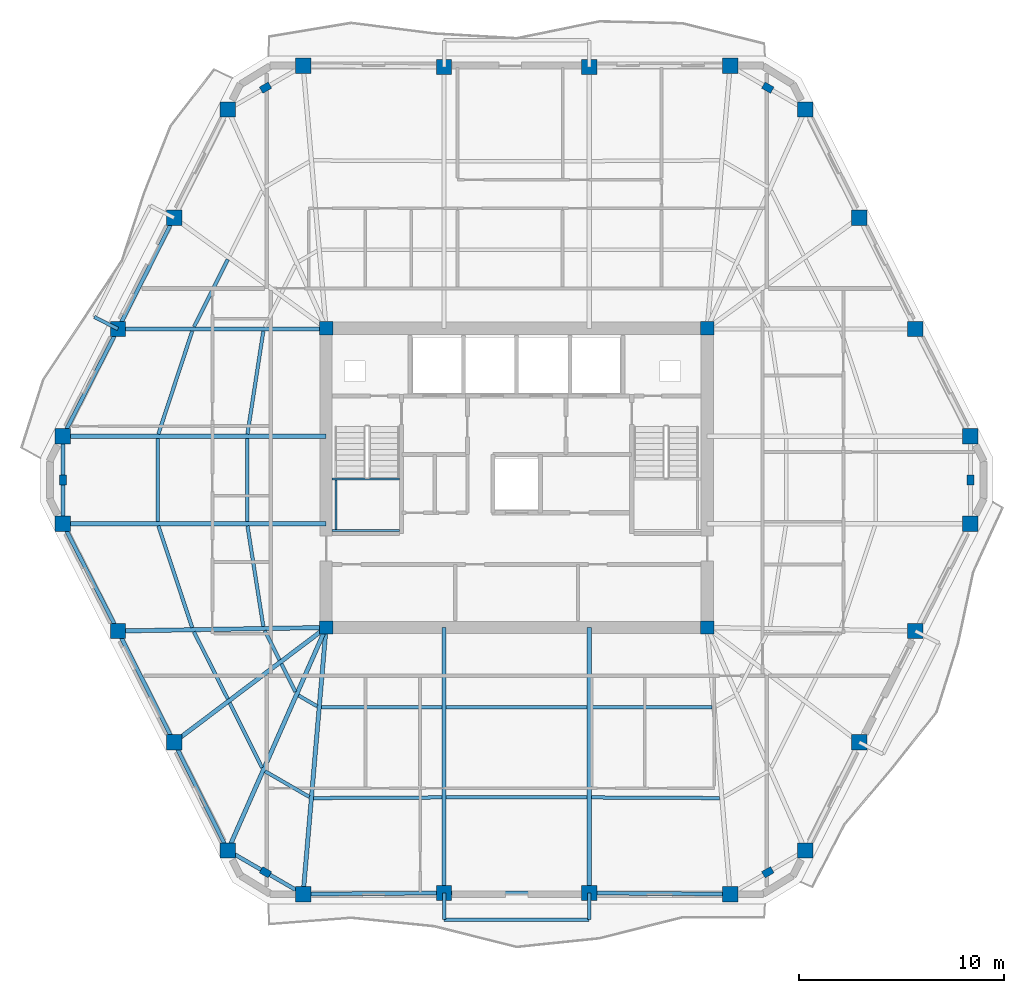
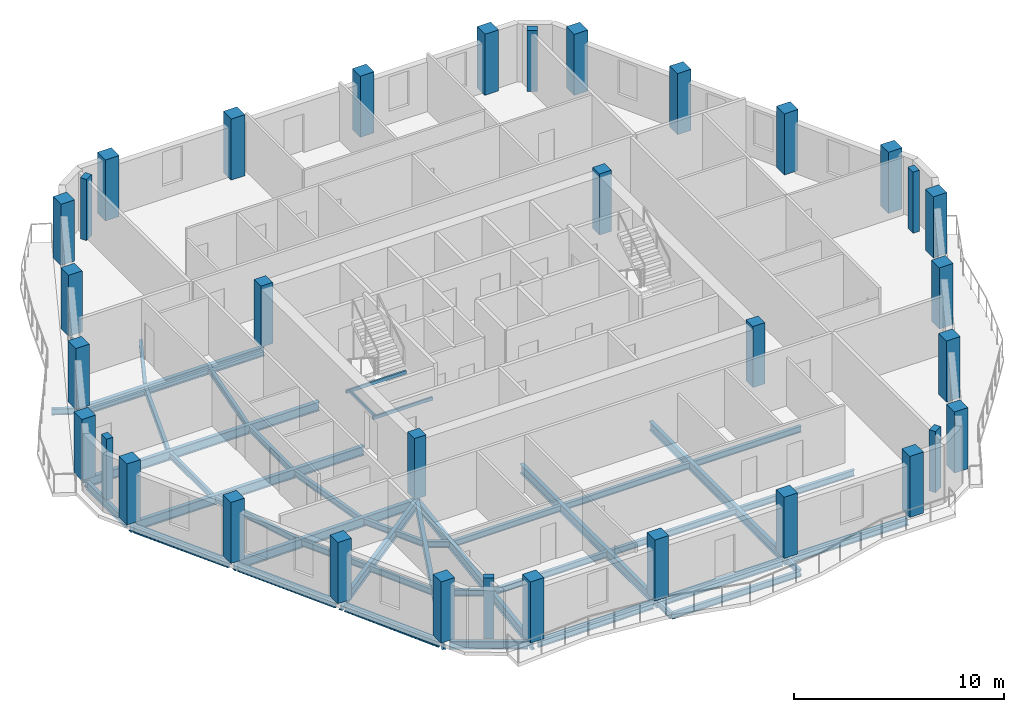
# One storey, part 1 of 9: 45 beams, 34 columns.
"""IFC4 building model written with IfcOpenShell, lengths in metres."""

from ifc_helpers import new_model, si_unit, direction, frame, origin, origin_2d, place, context, subcontext, project, spatial, rectangle, hollow_rectangle, i_section, extrude, material, material_profile, profile_set, type_object, element, save


model = new_model("IFC4")

# Units and contexts
model_context = context("Model", 3, precision=1e-05, world=origin(), true_north=direction((0.0, 1.0)))
body_context = subcontext(model_context, "Body", "Model", "MODEL_VIEW")
ifc_project = project(units=[si_unit("LENGTHUNIT", "METRE"), si_unit("AREAUNIT", "SQUARE_METRE"), si_unit("VOLUMEUNIT", "CUBIC_METRE"), si_unit("PLANEANGLEUNIT", "RADIAN"), si_unit("MASSUNIT", "GRAM", prefix="KILO")], contexts=[model_context])

# Site, building, storey
site_placement = place(None, origin())
site = spatial("IfcSite", under=ifc_project, at=site_placement, CompositionType="ELEMENT")
building_placement = place(site_placement, origin())
building = spatial("IfcBuilding", under=site, at=building_placement, Name="Cinnabar Lancet Tower", CompositionType="ELEMENT")
storey_placement = place(building_placement, frame((0.0, 0.0, 207.39990234375)))
storey = spatial("IfcBuildingStorey", under=building, at=storey_placement, Name="L55", CompositionType="ELEMENT", Elevation=207.39990234375)

# Columns
ifc_material_1 = material(Name="Concrete C60/75", Category="concrete")
ifc_material_profile_1 = material_profile(ifc_material_1, rectangle(XDim=0.64990234375, YDim=0.64990234375, at=origin_2d()), Name="RC-COL 650x650")
ifc_profile_set_1 = profile_set([ifc_material_profile_1], Name="Concrete C60/75")
column_type_1 = type_object("IfcColumnType", Name="STR-COL-CORE-650", PredefinedType="COLUMN", material=ifc_profile_set_1)
for number, where, z_axis, x_axis, name in (
    (1, (23.10009765625, 18.60009765625, 0.0), (0.0, 0.0, 1.0), (1.0, 0.0, 0.0), "L55 Core Corner Column SW"),
    (2, (41.699951171875, 18.60009765625, 0.0), (0.0, 0.0, 1.0), (1.0, 0.0, 0.0), "L55 Core Corner Column SE"),
    (3, (41.699951171875, 33.199951171875, 0.0), (0.0, 0.0, 1.0), (1.0, 0.0, 0.0), "L55 Core Corner Column NE"),
    (4, (23.10009765625, 33.199951171875, 0.0), (0.0, 0.0, 1.0), (1.0, 0.0, 0.0), "L55 Core Corner Column NW"),
):
    element("IfcColumn", number, at=place(storey_placement, frame(where, z_axis=z_axis, x_axis=x_axis)), inside=storey, type_object=column_type_1, Name=name, PredefinedType="COLUMN", context=body_context, shape_type="SweptSolid", body=[
        extrude(rectangle(XDim=0.64990234375, YDim=0.64990234375, at=origin_2d()), origin(), (0.0, 0.0, 1.0), 3.550048828125),
    ])
ifc_material_2 = material(Name="Concrete C60/75", Category="concrete")
ifc_material_profile_2 = material_profile(ifc_material_2, rectangle(XDim=0.5, YDim=0.35009765625, at=origin_2d()), Name="RC-PIL 500x350")
ifc_profile_set_2 = profile_set([ifc_material_profile_2], Name="Concrete C60/75")
column_type_2 = type_object("IfcColumnType", Name="STR-COL-PIL-500", PredefinedType="PILASTER", material=ifc_profile_set_2)
for number, where, z_axis, x_axis, name in (
    (5, (20.14208984375, 6.654052734375, 0.0), (0.0, 0.0, 1.0), (0.865230187018, -0.501374833306, 0.0), "L55 Chamfered Corner Pilaster 1"),
    (6, (44.657958984375, 6.654052734375, 0.0), (0.0, 0.0, 1.0), (0.865230187018, 0.501374833306, 0.0), "L55 Chamfered Corner Pilaster 2"),
    (7, (54.547119140625, 25.800048828125, 0.0), (0.0, 0.0, 1.0), (0.0, 1.0, 0.0), "L55 Chamfered Corner Pilaster 3"),
    (8, (44.657958984375, 44.947021484375, 0.0), (0.0, 0.0, 1.0), (-0.865230187018, 0.501374833306, 0.0), "L55 Chamfered Corner Pilaster 4"),
    (9, (20.14208984375, 44.947021484375, 0.0), (0.0, 0.0, 1.0), (-0.865230187018, -0.501374833306, 0.0), "L55 Chamfered Corner Pilaster 5"),
    (10, (10.2529296875, 25.800048828125, 0.0), (0.0, 0.0, 1.0), (0.0, -1.0, 0.0), "L55 Chamfered Corner Pilaster 6"),
):
    element("IfcColumn", number, at=place(storey_placement, frame(where, z_axis=z_axis, x_axis=x_axis)), inside=storey, type_object=column_type_2, Name=name, PredefinedType="PILASTER", context=body_context, shape_type="SweptSolid", body=[
        extrude(rectangle(XDim=0.5, YDim=0.35009765625, at=origin_2d()), origin(), (0.0, 0.0, 1.0), 3.550048828125),
    ])
ifc_material_3 = material(Name="Concrete C50/60", Category="concrete")
ifc_material_profile_3 = material_profile(ifc_material_3, rectangle(XDim=0.75, YDim=0.75, at=origin_2d()), Name="RC-COL 750x750")
ifc_profile_set_3 = profile_set([ifc_material_profile_3], Name="Concrete C50/60")
column_type_3 = type_object("IfcColumnType", Name="STR-COL-TUBE-750", PredefinedType="COLUMN", material=ifc_profile_set_3)
for number, where, z_axis, x_axis, name in (
    (11, (21.97900390625, 5.589111328125, 0.0), (0.0, 0.0, 1.0), (1.0, 0.0, 0.0), "L55 Perimeter Tube Column 1"),
    (12, (28.85693359375, 5.64208984375, 0.0), (0.0, 0.0, 1.0), (1.0, 0.0, 0.0), "L55 Perimeter Tube Column 2"),
    (13, (35.943115234375, 5.64208984375, 0.0), (0.0, 0.0, 1.0), (1.0, 0.0, 0.0), "L55 Perimeter Tube Column 3"),
    (14, (42.821044921875, 5.589111328125, 0.0), (0.0, 0.0, 1.0), (1.0, 0.0, 0.0), "L55 Perimeter Tube Column 4"),
    (15, (46.4951171875, 7.718017578125, 0.0), (0.0, 0.0, 1.0), (1.0, 0.0, 0.0), "L55 Perimeter Tube Column 5"),
    (16, (49.118896484375, 13.0009765625, 0.0), (0.0, 0.0, 1.0), (1.0, 0.0, 0.0), "L55 Perimeter Tube Column 6"),
    (17, (51.85791015625, 18.428955078125, 0.0), (0.0, 0.0, 1.0), (1.0, 0.0, 0.0), "L55 Perimeter Tube Column 7"),
    (18, (54.547119140625, 23.66796875, 0.0), (0.0, 0.0, 1.0), (1.0, 0.0, 0.0), "L55 Perimeter Tube Column 8"),
    (19, (54.547119140625, 27.931884765625, 0.0), (0.0, 0.0, 1.0), (1.0, 0.0, 0.0), "L55 Perimeter Tube Column 9"),
    (20, (51.85791015625, 33.1708984375, 0.0), (0.0, 0.0, 1.0), (1.0, 0.0, 0.0), "L55 Perimeter Tube Column 10"),
    (21, (49.118896484375, 38.59912109375, 0.0), (0.0, 0.0, 1.0), (1.0, 0.0, 0.0), "L55 Perimeter Tube Column 11"),
    (22, (46.4951171875, 43.882080078125, 0.0), (0.0, 0.0, 1.0), (1.0, 0.0, 0.0), "L55 Perimeter Tube Column 12"),
    (23, (42.821044921875, 46.010986328125, 0.0), (0.0, 0.0, 1.0), (1.0, 0.0, 0.0), "L55 Perimeter Tube Column 13"),
    (24, (35.943115234375, 45.9580078125, 0.0), (0.0, 0.0, 1.0), (1.0, 0.0, 0.0), "L55 Perimeter Tube Column 14"),
    (25, (28.85693359375, 45.9580078125, 0.0), (0.0, 0.0, 1.0), (1.0, 0.0, 0.0), "L55 Perimeter Tube Column 15"),
    (26, (21.97900390625, 46.010986328125, 0.0), (0.0, 0.0, 1.0), (1.0, 0.0, 0.0), "L55 Perimeter Tube Column 16"),
    (27, (18.304931640625, 43.882080078125, 0.0), (0.0, 0.0, 1.0), (1.0, 0.0, 0.0), "L55 Perimeter Tube Column 17"),
    (28, (15.680908203125, 38.59912109375, 0.0), (0.0, 0.0, 1.0), (1.0, 0.0, 0.0), "L55 Perimeter Tube Column 18"),
    (29, (12.94189453125, 33.1708984375, 0.0), (0.0, 0.0, 1.0), (1.0, 0.0, 0.0), "L55 Perimeter Tube Column 19"),
    (30, (10.2529296875, 27.931884765625, 0.0), (0.0, 0.0, 1.0), (1.0, 0.0, 0.0), "L55 Perimeter Tube Column 20"),
    (31, (10.2529296875, 23.66796875, 0.0), (0.0, 0.0, 1.0), (1.0, 0.0, 0.0), "L55 Perimeter Tube Column 21"),
    (32, (12.94189453125, 18.428955078125, 0.0), (0.0, 0.0, 1.0), (1.0, 0.0, 0.0), "L55 Perimeter Tube Column 22"),
    (33, (15.680908203125, 13.0009765625, 0.0), (0.0, 0.0, 1.0), (1.0, 0.0, 0.0), "L55 Perimeter Tube Column 23"),
    (34, (18.304931640625, 7.718017578125, 0.0), (0.0, 0.0, 1.0), (1.0, 0.0, 0.0), "L55 Perimeter Tube Column 24"),
):
    element("IfcColumn", number, at=place(storey_placement, frame(where, z_axis=z_axis, x_axis=x_axis)), inside=storey, type_object=column_type_3, Name=name, PredefinedType="COLUMN", context=body_context, shape_type="SweptSolid", body=[
        extrude(rectangle(XDim=0.75, YDim=0.75, at=origin_2d()), origin(), (0.0, 0.0, 1.0), 3.550048828125),
    ])

# Beams
ifc_material_4 = material(Name="Structural steel S355", Category="steel")
ifc_material_profile_4 = material_profile(ifc_material_4, i_section(OverallWidth=0.17138671875, OverallDepth=0.35498046875, WebThickness=0.00732421875, FlangeThickness=0.011474609375, FilletRadius=0.01025390625, at=origin_2d()), Name="UKB 356x171x51")
ifc_profile_set_4 = profile_set([ifc_material_profile_4], Name="Structural steel S355")
beam_type_1 = type_object("IfcBeamType", Name="STR-BM-JST-356", PredefinedType="JOIST", material=ifc_profile_set_4)
beam_1_placement = place(storey_placement, frame((14.9130859375, 23.56298828125, -0.3779296875), z_axis=(0.315346227037, -0.948976689436, 0.0), x_axis=(0.948976689436, 0.315346227037, 0.0)))
element("IfcBeam", 35, at=beam_1_placement, inside=storey, type_object=beam_type_1, Name="L55 Secondary Floor Joist 1", PredefinedType="JOIST", context=body_context, shape_type="SweptSolid", body=[
    extrude(i_section(OverallWidth=0.17138671875, OverallDepth=0.35498046875, WebThickness=0.00732421875, FlangeThickness=0.011474609375, FilletRadius=0.01025390625, at=origin_2d()), origin(), (0.0, 0.0, 1.0), 5.235107421875),
])
beam_2_placement = place(storey_placement, frame((19.261962890625, 23.56298828125, -0.3779296875), z_axis=(0.155702775827, -0.987803950994, 0.0), x_axis=(0.987803950994, 0.155702775827, 0.0)))
element("IfcBeam", 36, at=beam_2_placement, inside=storey, type_object=beam_type_1, Name="L55 Secondary Floor Joist 2", PredefinedType="JOIST", context=body_context, shape_type="SweptSolid", body=[
    extrude(i_section(OverallWidth=0.17138671875, OverallDepth=0.35498046875, WebThickness=0.00732421875, FlangeThickness=0.011474609375, FilletRadius=0.01025390625, at=origin_2d()), origin(), (0.0, 0.0, 1.0), 4.970458984375),
])
beam_3_placement = place(storey_placement, frame((16.65087890625, 18.386962890625, -0.3779296875), z_axis=(0.45061776862, -0.892716991327, 0.0), x_axis=(0.892716991327, 0.45061776862, 0.0)))
element("IfcBeam", 37, at=beam_3_placement, inside=storey, type_object=beam_type_1, Name="L55 Secondary Floor Joist 3", PredefinedType="JOIST", context=body_context, shape_type="SweptSolid", body=[
    extrude(i_section(OverallWidth=0.17138671875, OverallDepth=0.35498046875, WebThickness=0.00732421875, FlangeThickness=0.011474609375, FilletRadius=0.01025390625, at=origin_2d()), origin(), (0.0, 0.0, 1.0), 3.66845703125),
])
beam_4_placement = place(storey_placement, frame((20.10498046875, 18.445068359375, -0.3779296875), z_axis=(0.450137936259, -0.892959035085, 0.0), x_axis=(0.892959035085, 0.450137936259, 0.0)))
element("IfcBeam", 38, at=beam_4_placement, inside=storey, type_object=beam_type_1, Name="L55 Secondary Floor Joist 4", PredefinedType="JOIST", context=body_context, shape_type="SweptSolid", body=[
    extrude(i_section(OverallWidth=0.17138671875, OverallDepth=0.35498046875, WebThickness=0.00732421875, FlangeThickness=0.011474609375, FilletRadius=0.01025390625, at=origin_2d()), origin(), (0.0, 0.0, 1.0), 1.6015625),
])
beam_5_placement = place(storey_placement, frame((18.39892578125, 14.9208984375, -0.3779296875), z_axis=(0.445083338565, -0.895489152214, 0.0), x_axis=(0.895489152214, 0.445083338565, 0.0)))
element("IfcBeam", 39, at=beam_5_placement, inside=storey, type_object=beam_type_1, Name="L55 Secondary Floor Joist 5", PredefinedType="JOIST", context=body_context, shape_type="SweptSolid", body=[
    extrude(i_section(OverallWidth=0.17138671875, OverallDepth=0.35498046875, WebThickness=0.00732421875, FlangeThickness=0.011474609375, FilletRadius=0.01025390625, at=origin_2d()), origin(), (0.0, 0.0, 1.0), 3.531982421875),
])
beam_6_placement = place(storey_placement, frame((20.922119140625, 16.824951171875, -0.3779296875), z_axis=(0.444589856968, -0.895734256954, 0.0), x_axis=(0.895734256954, 0.444589856968, 0.0)))
element("IfcBeam", 40, at=beam_6_placement, inside=storey, type_object=beam_type_1, Name="L55 Secondary Floor Joist 6", PredefinedType="JOIST", context=body_context, shape_type="SweptSolid", body=[
    extrude(i_section(OverallWidth=0.17138671875, OverallDepth=0.35498046875, WebThickness=0.00732421875, FlangeThickness=0.011474609375, FilletRadius=0.01025390625, at=origin_2d()), origin(), (0.0, 0.0, 1.0), 1.527099609375),
])
beam_7_placement = place(storey_placement, frame((20.1220703125, 11.5830078125, -0.3779296875), z_axis=(0.865267839663, -0.501309849937, 0.0), x_axis=(0.501309849937, 0.865267839663, 0.0)))
element("IfcBeam", 41, at=beam_7_placement, inside=storey, type_object=beam_type_1, Name="L55 Secondary Floor Joist 7", PredefinedType="JOIST", context=body_context, shape_type="SweptSolid", body=[
    extrude(i_section(OverallWidth=0.17138671875, OverallDepth=0.35498046875, WebThickness=0.00732421875, FlangeThickness=0.011474609375, FilletRadius=0.01025390625, at=origin_2d()), origin(), (0.0, 0.0, 1.0), 2.497314453125),
])
beam_8_placement = place(storey_placement, frame((21.7529296875, 15.282958984375, -0.3779296875), z_axis=(0.8651881055, -0.501447446998, 0.0), x_axis=(0.501447446998, 0.8651881055, 0.0)))
element("IfcBeam", 42, at=beam_8_placement, inside=storey, type_object=beam_type_1, Name="L55 Secondary Floor Joist 8", PredefinedType="JOIST", context=body_context, shape_type="SweptSolid", body=[
    extrude(i_section(OverallWidth=0.17138671875, OverallDepth=0.35498046875, WebThickness=0.00732421875, FlangeThickness=0.011474609375, FilletRadius=0.01025390625, at=origin_2d()), origin(), (0.0, 0.0, 1.0), 1.05322265625),
])
beam_9_placement = place(storey_placement, frame((22.488037109375, 10.27392578125, -0.3779296875), z_axis=(0.999986965561, 0.005105752523, 0.0), x_axis=(-0.005105752523, 0.999986965561, 0.0)))
element("IfcBeam", 43, at=beam_9_placement, inside=storey, type_object=beam_type_1, Name="L55 Secondary Floor Joist 9", PredefinedType="JOIST", context=body_context, shape_type="SweptSolid", body=[
    extrude(i_section(OverallWidth=0.17138671875, OverallDepth=0.35498046875, WebThickness=0.00732421875, FlangeThickness=0.011474609375, FilletRadius=0.01025390625, at=origin_2d()), origin(), (0.0, 0.0, 1.0), 6.263916015625),
])
beam_10_placement = place(storey_placement, frame((22.868896484375, 14.697021484375, -0.3779296875), z_axis=(0.999996795933, 0.002531427338, 0.0), x_axis=(-0.002531427338, 0.999996795933, 0.0)))
element("IfcBeam", 44, at=beam_10_placement, inside=storey, type_object=beam_type_1, Name="L55 Secondary Floor Joist 10", PredefinedType="JOIST", context=body_context, shape_type="SweptSolid", body=[
    extrude(i_section(OverallWidth=0.17138671875, OverallDepth=0.35498046875, WebThickness=0.00732421875, FlangeThickness=0.011474609375, FilletRadius=0.01025390625, at=origin_2d()), origin(), (0.0, 0.0, 1.0), 5.883056640625),
])
for number, where, z_axis, x_axis, name in (
    (45, (28.9619140625, 10.306884765625, -0.3779296875), (1.0, 0.0, 0.0), (0.0, 1.0, 0.0), "L55 Secondary Floor Joist 11"),
    (46, (28.9619140625, 14.712890625, -0.3779296875), (1.0, 0.0, 0.0), (0.0, 1.0, 0.0), "L55 Secondary Floor Joist 12"),
):
    element("IfcBeam", number, at=place(storey_placement, frame(where, z_axis=z_axis, x_axis=x_axis)), inside=storey, type_object=beam_type_1, Name=name, PredefinedType="JOIST", context=body_context, shape_type="SweptSolid", body=[
        extrude(i_section(OverallWidth=0.17138671875, OverallDepth=0.35498046875, WebThickness=0.00732421875, FlangeThickness=0.011474609375, FilletRadius=0.01025390625, at=origin_2d()), origin(), (0.0, 0.0, 1.0), 6.8759765625),
    ])
beam_11_placement = place(storey_placement, frame((36.048095703125, 10.305908203125, -0.3779296875), z_axis=(0.999986965561, -0.005105752523, 0.0), x_axis=(0.005105752523, 0.999986965561, 0.0)))
element("IfcBeam", 47, at=beam_11_placement, inside=storey, type_object=beam_type_1, Name="L55 Secondary Floor Joist 13", PredefinedType="JOIST", context=body_context, shape_type="SweptSolid", body=[
    extrude(i_section(OverallWidth=0.17138671875, OverallDepth=0.35498046875, WebThickness=0.00732421875, FlangeThickness=0.011474609375, FilletRadius=0.01025390625, at=origin_2d()), origin(), (0.0, 0.0, 1.0), 6.263916015625),
])
beam_12_placement = place(storey_placement, frame((36.048095703125, 14.7119140625, -0.3779296875), z_axis=(0.999996795667, -0.002531532393, 0.0), x_axis=(0.002531532393, 0.999996795667, 0.0)))
element("IfcBeam", 48, at=beam_12_placement, inside=storey, type_object=beam_type_1, Name="L55 Secondary Floor Joist 14", PredefinedType="JOIST", context=body_context, shape_type="SweptSolid", body=[
    extrude(i_section(OverallWidth=0.17138671875, OverallDepth=0.35498046875, WebThickness=0.00732421875, FlangeThickness=0.011474609375, FilletRadius=0.01025390625, at=origin_2d()), origin(), (0.0, 0.0, 1.0), 5.8828125),
])
beam_13_placement = place(storey_placement, frame((18.303955078125, 36.56103515625, -0.3779296875), z_axis=(-0.449230875134, -0.893415704376, 0.0), x_axis=(0.893415704376, -0.449230875134, 0.0)))
element("IfcBeam", 49, at=beam_13_placement, inside=storey, type_object=beam_type_1, Name="L55 Secondary Floor Joist 43", PredefinedType="JOIST", context=body_context, shape_type="SweptSolid", body=[
    extrude(i_section(OverallWidth=0.17138671875, OverallDepth=0.35498046875, WebThickness=0.00732421875, FlangeThickness=0.011474609375, FilletRadius=0.01025390625, at=origin_2d()), origin(), (0.0, 0.0, 1.0), 3.677001953125),
])
beam_14_placement = place(storey_placement, frame((16.56494140625, 33.06591796875, -0.3779296875), z_axis=(-0.312240109925, -0.95000321776, 0.0), x_axis=(0.95000321776, -0.312240109925, 0.0)))
element("IfcBeam", 50, at=beam_14_placement, inside=storey, type_object=beam_type_1, Name="L55 Secondary Floor Joist 45", PredefinedType="JOIST", context=body_context, shape_type="SweptSolid", body=[
    extrude(i_section(OverallWidth=0.17138671875, OverallDepth=0.35498046875, WebThickness=0.00732421875, FlangeThickness=0.011474609375, FilletRadius=0.01025390625, at=origin_2d()), origin(), (0.0, 0.0, 1.0), 5.29345703125),
])
beam_15_placement = place(storey_placement, frame((20.035888671875, 33.06591796875, -0.3779296875), z_axis=(-0.152107663797, -0.988363930248, 0.0), x_axis=(0.988363930248, -0.152107663797, 0.0)))
element("IfcBeam", 51, at=beam_15_placement, inside=storey, type_object=beam_type_1, Name="L55 Secondary Floor Joist 46", PredefinedType="JOIST", context=body_context, shape_type="SweptSolid", body=[
    extrude(i_section(OverallWidth=0.17138671875, OverallDepth=0.35498046875, WebThickness=0.00732421875, FlangeThickness=0.011474609375, FilletRadius=0.01025390625, at=origin_2d()), origin(), (0.0, 0.0, 1.0), 5.088134765625),
])
for number, where, z_axis, x_axis, name in (
    (52, (14.8779296875, 27.826904296875, -0.3779296875), (0.0, -1.0, 0.0), (1.0, 0.0, 0.0), "L55 Secondary Floor Joist 47"),
    (53, (19.24609375, 27.826904296875, -0.3779296875), (0.0, -1.0, 0.0), (1.0, 0.0, 0.0), "L55 Secondary Floor Joist 48"),
):
    element("IfcBeam", number, at=place(storey_placement, frame(where, z_axis=z_axis, x_axis=x_axis)), inside=storey, type_object=beam_type_1, Name=name, PredefinedType="JOIST", context=body_context, shape_type="SweptSolid", body=[
        extrude(i_section(OverallWidth=0.17138671875, OverallDepth=0.35498046875, WebThickness=0.00732421875, FlangeThickness=0.011474609375, FilletRadius=0.01025390625, at=origin_2d()), origin(), (0.0, 0.0, 1.0), 4.053955078125),
    ])
ifc_material_5 = material(Name="Structural steel S355", Category="steel")
ifc_material_profile_5 = material_profile(ifc_material_5, hollow_rectangle(XDim=0.10009765625, YDim=0.199951171875, WallThickness=0.008056640625, InnerFilletRadius=0.00390625, OuterFilletRadius=0.011962890625, at=origin_2d()), Name="RHS 200x100x8")
ifc_profile_set_5 = profile_set([ifc_material_profile_5], Name="Structural steel S355")
beam_type_2 = type_object("IfcBeamType", Name="STR-BM-LND-203", PredefinedType="BEAM", material=ifc_profile_set_5)
for number, where, z_axis, x_axis, name in (
    (54, (23.39990234375, 23.330078125, 1.47509765625), (1.0, 0.0, 0.0), (0.0, 1.0, 0.0), "L55 ST-1-L55 Landing Support Beam S"),
    (55, (23.39990234375, 25.844970703125, 1.47509765625), (1.0, 0.0, 0.0), (0.0, 1.0, 0.0), "L55 ST-1-L55 Landing Support Beam N"),
):
    element("IfcBeam", number, at=place(storey_placement, frame(where, z_axis=z_axis, x_axis=x_axis)), inside=storey, type_object=beam_type_2, Name=name, PredefinedType="BEAM", context=body_context, shape_type="SweptSolid", body=[
        extrude(hollow_rectangle(XDim=0.10009765625, YDim=0.199951171875, WallThickness=0.008056640625, InnerFilletRadius=0.00390625, OuterFilletRadius=0.011962890625, at=origin_2d()), origin(), (0.0, 0.0, 1.0), 3.280029296875),
    ])
beam_16_placement = place(storey_placement, frame((23.580078125, 23.3798828125, 1.47509765625), z_axis=(0.0, 1.0, 0.0), x_axis=(-1.0, 0.0, 0.0)))
element("IfcBeam", 56, at=beam_16_placement, inside=storey, type_object=beam_type_2, Name="L55 ST-1-L55 Landing Side Trimmer Beam", PredefinedType="BEAM", context=body_context, shape_type="SweptSolid", body=[
    extrude(hollow_rectangle(XDim=0.10009765625, YDim=0.199951171875, WallThickness=0.008056640625, InnerFilletRadius=0.00390625, OuterFilletRadius=0.011962890625, at=origin_2d()), origin(), (0.0, 0.0, 1.0), 2.4150390625),
])
ifc_material_6 = material(Name="Structural steel S355", Category="steel")
ifc_material_profile_6 = material_profile(ifc_material_6, i_section(OverallWidth=0.1904296875, OverallDepth=0.45703125, WebThickness=0.009033203125, FlangeThickness=0.014404296875, FilletRadius=0.01025390625, at=origin_2d()), Name="UKB 457x191x74")
ifc_profile_set_6 = profile_set([ifc_material_profile_6], Name="Structural steel S355")
beam_type_3 = type_object("IfcBeamType", Name="STR-BM-SPN-457", PredefinedType="SPANDREL", material=ifc_profile_set_6)
beam_17_placement = place(storey_placement, frame((22.22900390625, 5.591064453125, -0.428955078125), z_axis=(0.999970695686, 0.007655571089, 0.0), x_axis=(-0.007655571089, 0.999970695686, 0.0)))
element("IfcBeam", 57, at=beam_17_placement, inside=storey, type_object=beam_type_3, Name="L55 Perimeter Spandrel 1", PredefinedType="SPANDREL", context=body_context, shape_type="SweptSolid", body=[
    extrude(i_section(OverallWidth=0.1904296875, OverallDepth=0.45703125, WebThickness=0.009033203125, FlangeThickness=0.014404296875, FilletRadius=0.01025390625, at=origin_2d()), origin(), (0.0, 0.0, 1.0), 6.378173828125),
])
beam_18_placement = place(storey_placement, frame((29.10693359375, 5.64208984375, -0.428955078125), z_axis=(1.0, 0.0, 0.0), x_axis=(0.0, 1.0, 0.0)))
element("IfcBeam", 58, at=beam_18_placement, inside=storey, type_object=beam_type_3, Name="L55 Perimeter Spandrel 2", PredefinedType="SPANDREL", context=body_context, shape_type="SweptSolid", body=[
    extrude(i_section(OverallWidth=0.1904296875, OverallDepth=0.45703125, WebThickness=0.009033203125, FlangeThickness=0.014404296875, FilletRadius=0.01025390625, at=origin_2d()), origin(), (0.0, 0.0, 1.0), 6.586181640625),
])
beam_19_placement = place(storey_placement, frame((36.193115234375, 5.639892578125, -0.428955078125), z_axis=(0.999970695686, -0.007655571089, 0.0), x_axis=(0.007655571089, 0.999970695686, 0.0)))
element("IfcBeam", 59, at=beam_19_placement, inside=storey, type_object=beam_type_3, Name="L55 Perimeter Spandrel 3", PredefinedType="SPANDREL", context=body_context, shape_type="SweptSolid", body=[
    extrude(i_section(OverallWidth=0.1904296875, OverallDepth=0.45703125, WebThickness=0.009033203125, FlangeThickness=0.014404296875, FilletRadius=0.01025390625, at=origin_2d()), origin(), (0.0, 0.0, 1.0), 6.378173828125),
])
beam_20_placement = place(storey_placement, frame((15.568115234375, 38.3759765625, -0.428955078125), z_axis=(-0.450395996562, -0.892828900899, 0.0), x_axis=(0.892828900899, -0.450395996562, 0.0)))
element("IfcBeam", 60, at=beam_20_placement, inside=storey, type_object=beam_type_3, Name="L55 Perimeter Spandrel 18", PredefinedType="SPANDREL", context=body_context, shape_type="SweptSolid", body=[
    extrude(i_section(OverallWidth=0.1904296875, OverallDepth=0.45703125, WebThickness=0.009033203125, FlangeThickness=0.014404296875, FilletRadius=0.01025390625, at=origin_2d()), origin(), (0.0, 0.0, 1.0), 5.579833984375),
])
beam_21_placement = place(storey_placement, frame((12.827880859375, 32.948974609375, -0.428955078125), z_axis=(-0.456610910924, -0.889666497079, 0.0), x_axis=(0.889666497079, -0.456610910924, 0.0)))
element("IfcBeam", 61, at=beam_21_placement, inside=storey, type_object=beam_type_3, Name="L55 Perimeter Spandrel 19", PredefinedType="SPANDREL", context=body_context, shape_type="SweptSolid", body=[
    extrude(i_section(OverallWidth=0.1904296875, OverallDepth=0.45703125, WebThickness=0.009033203125, FlangeThickness=0.014404296875, FilletRadius=0.01025390625, at=origin_2d()), origin(), (0.0, 0.0, 1.0), 5.3896484375),
])
beam_22_placement = place(storey_placement, frame((10.2529296875, 27.681884765625, -0.428955078125), z_axis=(0.0, -1.0, 0.0), x_axis=(1.0, 0.0, 0.0)))
element("IfcBeam", 62, at=beam_22_placement, inside=storey, type_object=beam_type_3, Name="L55 Perimeter Spandrel 20", PredefinedType="SPANDREL", context=body_context, shape_type="SweptSolid", body=[
    extrude(i_section(OverallWidth=0.1904296875, OverallDepth=0.45703125, WebThickness=0.009033203125, FlangeThickness=0.014404296875, FilletRadius=0.01025390625, at=origin_2d()), origin(), (0.0, 0.0, 1.0), 3.763916015625),
])
beam_23_placement = place(storey_placement, frame((10.366943359375, 23.446044921875, -0.428955078125), z_axis=(0.456592509812, -0.889675940994, 0.0), x_axis=(0.889675940994, 0.456592509812, 0.0)))
element("IfcBeam", 63, at=beam_23_placement, inside=storey, type_object=beam_type_3, Name="L55 Perimeter Spandrel 21", PredefinedType="SPANDREL", context=body_context, shape_type="SweptSolid", body=[
    extrude(i_section(OverallWidth=0.1904296875, OverallDepth=0.45703125, WebThickness=0.009033203125, FlangeThickness=0.014404296875, FilletRadius=0.01025390625, at=origin_2d()), origin(), (0.0, 0.0, 1.0), 5.389892578125),
])
beam_24_placement = place(storey_placement, frame((13.054931640625, 18.2060546875, -0.428955078125), z_axis=(0.450395996562, -0.892828900899, 0.0), x_axis=(0.892828900899, 0.450395996562, 0.0)))
element("IfcBeam", 64, at=beam_24_placement, inside=storey, type_object=beam_type_3, Name="L55 Perimeter Spandrel 22", PredefinedType="SPANDREL", context=body_context, shape_type="SweptSolid", body=[
    extrude(i_section(OverallWidth=0.1904296875, OverallDepth=0.45703125, WebThickness=0.009033203125, FlangeThickness=0.014404296875, FilletRadius=0.01025390625, at=origin_2d()), origin(), (0.0, 0.0, 1.0), 5.579833984375),
])
beam_25_placement = place(storey_placement, frame((15.7919921875, 12.777099609375, -0.428955078125), z_axis=(0.444914968367, -0.895572817208, 0.0), x_axis=(0.895572817208, 0.444914968367, 0.0)))
element("IfcBeam", 65, at=beam_25_placement, inside=storey, type_object=beam_type_3, Name="L55 Perimeter Spandrel 23", PredefinedType="SPANDREL", context=body_context, shape_type="SweptSolid", body=[
    extrude(i_section(OverallWidth=0.1904296875, OverallDepth=0.45703125, WebThickness=0.009033203125, FlangeThickness=0.014404296875, FilletRadius=0.01025390625, at=origin_2d()), origin(), (0.0, 0.0, 1.0), 5.39892578125),
])
beam_26_placement = place(storey_placement, frame((18.52099609375, 7.593017578125, -0.428955078125), z_axis=(0.865195717586, -0.501434313016, 0.0), x_axis=(0.501434313016, 0.865195717586, 0.0)))
element("IfcBeam", 66, at=beam_26_placement, inside=storey, type_object=beam_type_3, Name="L55 Perimeter Spandrel 24", PredefinedType="SPANDREL", context=body_context, shape_type="SweptSolid", body=[
    extrude(i_section(OverallWidth=0.1904296875, OverallDepth=0.45703125, WebThickness=0.009033203125, FlangeThickness=0.014404296875, FilletRadius=0.01025390625, at=origin_2d()), origin(), (0.0, 0.0, 1.0), 3.7470703125),
])
ifc_material_7 = material(Name="Structural steel S355", Category="steel")
ifc_material_profile_7 = material_profile(ifc_material_7, i_section(OverallWidth=0.209228515625, OverallDepth=0.533203125, WebThickness=0.010009765625, FlangeThickness=0.015625, FilletRadius=0.0126953125, at=origin_2d()), Name="UKB 533x210x92")
ifc_profile_set_7 = profile_set([ifc_material_profile_7], Name="Structural steel S355")
beam_type_4 = type_object("IfcBeamType", Name="STR-BM-UKB533-92", PredefinedType="BEAM", material=ifc_profile_set_7)
beam_27_placement = place(storey_placement, frame((15.680908203125, 13.0009765625, -0.466796875), z_axis=(0.798202971293, 0.602388592703, 0.0), x_axis=(-0.602388592703, 0.798202971293, 0.0)))
element("IfcBeam", 67, at=beam_27_placement, inside=storey, type_object=beam_type_4, Name="L55 Corner Collector Girder 1", PredefinedType="BEAM", context=body_context, shape_type="SweptSolid", body=[
    extrude(i_section(OverallWidth=0.209228515625, OverallDepth=0.533203125, WebThickness=0.010009765625, FlangeThickness=0.015625, FilletRadius=0.0126953125, at=origin_2d()), origin(), (0.0, 0.0, 1.0), 9.294921875),
])
beam_28_placement = place(storey_placement, frame((21.97900390625, 5.589111328125, -0.466796875), z_axis=(0.085847068729, 0.996308326167, 0.0), x_axis=(-0.996308326167, 0.085847068729, 0.0)))
element("IfcBeam", 68, at=beam_28_placement, inside=storey, type_object=beam_type_4, Name="L55 Primary Floor Girder 1", PredefinedType="BEAM", context=body_context, shape_type="SweptSolid", body=[
    extrude(i_section(OverallWidth=0.209228515625, OverallDepth=0.533203125, WebThickness=0.010009765625, FlangeThickness=0.015625, FilletRadius=0.0126953125, at=origin_2d()), origin(), (0.0, 0.0, 1.0), 13.05908203125),
])
for number, where, z_axis, x_axis, name in (
    (69, (28.85693359375, 5.64208984375, -0.466796875), (0.0, 1.0, 0.0), (-1.0, 0.0, 0.0), "L55 Primary Floor Girder 2"),
    (70, (35.943115234375, 5.64208984375, -0.466796875), (0.0, 1.0, 0.0), (-1.0, 0.0, 0.0), "L55 Primary Floor Girder 3"),
):
    element("IfcBeam", number, at=place(storey_placement, frame(where, z_axis=z_axis, x_axis=x_axis)), inside=storey, type_object=beam_type_4, Name=name, PredefinedType="BEAM", context=body_context, shape_type="SweptSolid", body=[
        extrude(i_section(OverallWidth=0.209228515625, OverallDepth=0.533203125, WebThickness=0.010009765625, FlangeThickness=0.015625, FilletRadius=0.0126953125, at=origin_2d()), origin(), (0.0, 0.0, 1.0), 12.9580078125),
    ])
beam_29_placement = place(storey_placement, frame((12.94189453125, 33.1708984375, -0.466796875), z_axis=(1.0, 0.0, 0.0), x_axis=(0.0, 1.0, 0.0)))
element("IfcBeam", 71, at=beam_29_placement, inside=storey, type_object=beam_type_4, Name="L55 Primary Floor Girder 19", PredefinedType="BEAM", context=body_context, shape_type="SweptSolid", body=[
    extrude(i_section(OverallWidth=0.209228515625, OverallDepth=0.533203125, WebThickness=0.010009765625, FlangeThickness=0.015625, FilletRadius=0.0126953125, at=origin_2d()), origin(), (0.0, 0.0, 1.0), 10.158203125),
])
for number, where, z_axis, x_axis, name in (
    (72, (10.2529296875, 27.931884765625, -0.466796875), (1.0, 0.0, 0.0), (0.0, 1.0, 0.0), "L55 Primary Floor Girder 20"),
    (73, (10.2529296875, 23.66796875, -0.466796875), (1.0, 0.0, 0.0), (0.0, 1.0, 0.0), "L55 Primary Floor Girder 21"),
):
    element("IfcBeam", number, at=place(storey_placement, frame(where, z_axis=z_axis, x_axis=x_axis)), inside=storey, type_object=beam_type_4, Name=name, PredefinedType="BEAM", context=body_context, shape_type="SweptSolid", body=[
        extrude(i_section(OverallWidth=0.209228515625, OverallDepth=0.533203125, WebThickness=0.010009765625, FlangeThickness=0.015625, FilletRadius=0.0126953125, at=origin_2d()), origin(), (0.0, 0.0, 1.0), 12.84716796875),
    ])
beam_30_placement = place(storey_placement, frame((12.94189453125, 18.428955078125, -0.466796875), z_axis=(0.999858107345, 0.016845331024, 0.0), x_axis=(-0.016845331024, 0.999858107345, 0.0)))
element("IfcBeam", 74, at=beam_30_placement, inside=storey, type_object=beam_type_4, Name="L55 Primary Floor Girder 22", PredefinedType="BEAM", context=body_context, shape_type="SweptSolid", body=[
    extrude(i_section(OverallWidth=0.209228515625, OverallDepth=0.533203125, WebThickness=0.010009765625, FlangeThickness=0.015625, FilletRadius=0.0126953125, at=origin_2d()), origin(), (0.0, 0.0, 1.0), 10.15966796875),
])
beam_31_placement = place(storey_placement, frame((18.304931640625, 7.718017578125, -0.466796875), z_axis=(0.403235299754, 0.915096329919, 0.0), x_axis=(-0.915096329919, 0.403235299754, 0.0)))
element("IfcBeam", 75, at=beam_31_placement, inside=storey, type_object=beam_type_4, Name="L55 Primary Floor Girder 24", PredefinedType="BEAM", context=body_context, shape_type="SweptSolid", body=[
    extrude(i_section(OverallWidth=0.209228515625, OverallDepth=0.533203125, WebThickness=0.010009765625, FlangeThickness=0.015625, FilletRadius=0.0126953125, at=origin_2d()), origin(), (0.0, 0.0, 1.0), 11.891845703125),
])
ifc_material_8 = material(Name="Structural steel S355", Category="steel")
ifc_material_profile_8 = material_profile(ifc_material_8, i_section(OverallWidth=0.17138671875, OverallDepth=0.35498046875, WebThickness=0.00732421875, FlangeThickness=0.011474609375, FilletRadius=0.01025390625, at=origin_2d()), Name="UKB 356x171x51")
ifc_profile_set_8 = profile_set([ifc_material_profile_8], Name="Structural steel S355")
beam_type_5 = type_object("IfcBeamType", Name="STR-BM-WAV-OUT", PredefinedType="BEAM", material=ifc_profile_set_8)
for number, where, z_axis, x_axis, name in (
    (76, (28.85693359375, 5.64208984375, -0.39794921875), (0.0, -1.0, 0.0), (1.0, 0.0, 0.0), "L55 Face 1 Balcony Outlooker A"),
    (77, (35.943115234375, 5.64208984375, -0.39794921875), (0.0, -1.0, 0.0), (1.0, 0.0, 0.0), "L55 Face 1 Balcony Outlooker B"),
    (78, (12.94189453125, 33.1708984375, -0.39794921875), (-0.892200264127, 0.451639998995, 0.0), (-0.451639998995, -0.892200264127, 0.0), "L55 Face 5 Balcony Outlooker B"),
):
    element("IfcBeam", number, at=place(storey_placement, frame(where, z_axis=z_axis, x_axis=x_axis)), inside=storey, type_object=beam_type_5, Name=name, PredefinedType="BEAM", context=body_context, shape_type="SweptSolid", body=[
        extrude(i_section(OverallWidth=0.17138671875, OverallDepth=0.35498046875, WebThickness=0.00732421875, FlangeThickness=0.011474609375, FilletRadius=0.01025390625, at=origin_2d()), origin(), (0.0, 0.0, 1.0), 1.300048828125),
    ])
ifc_material_9 = material(Name="Structural steel S355", Category="steel")
ifc_material_profile_9 = material_profile(ifc_material_9, i_section(OverallWidth=0.17138671875, OverallDepth=0.35498046875, WebThickness=0.00732421875, FlangeThickness=0.011474609375, FilletRadius=0.01025390625, at=origin_2d()), Name="UKB 356x171x51")
ifc_profile_set_9 = profile_set([ifc_material_profile_9], Name="Structural steel S355")
beam_type_6 = type_object("IfcBeamType", Name="STR-BM-WAV-TRIM", PredefinedType="SPANDREL", material=ifc_profile_set_9)
beam_32_placement = place(storey_placement, frame((28.85693359375, 4.342041015625, -0.39794921875), z_axis=(1.0, 0.0, 0.0), x_axis=(0.0, 1.0, 0.0)))
element("IfcBeam", 79, at=beam_32_placement, inside=storey, type_object=beam_type_6, Name="L55 Face 1 Balcony Edge Trimmer", PredefinedType="SPANDREL", context=body_context, shape_type="SweptSolid", body=[
    extrude(i_section(OverallWidth=0.17138671875, OverallDepth=0.35498046875, WebThickness=0.00732421875, FlangeThickness=0.011474609375, FilletRadius=0.01025390625, at=origin_2d()), origin(), (0.0, 0.0, 1.0), 7.086181640625),
])

save(model, "model.ifc")
